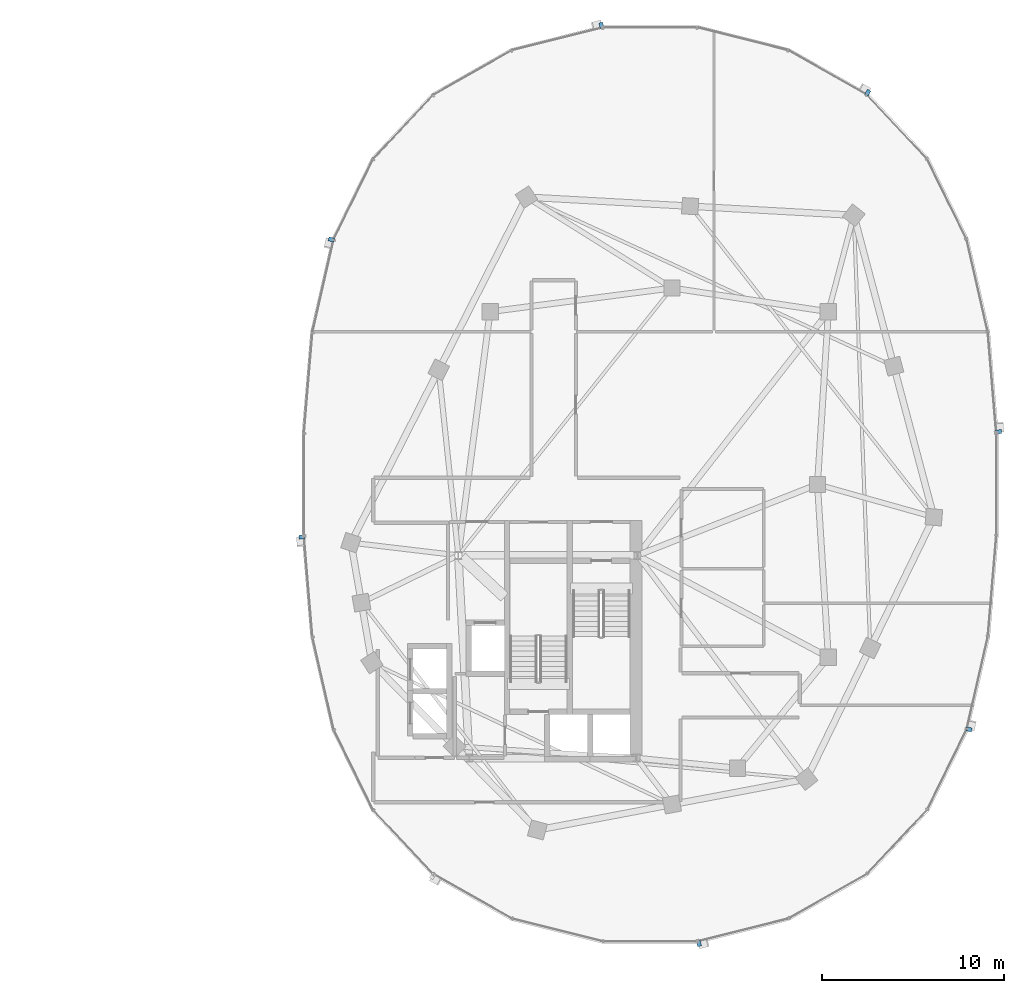
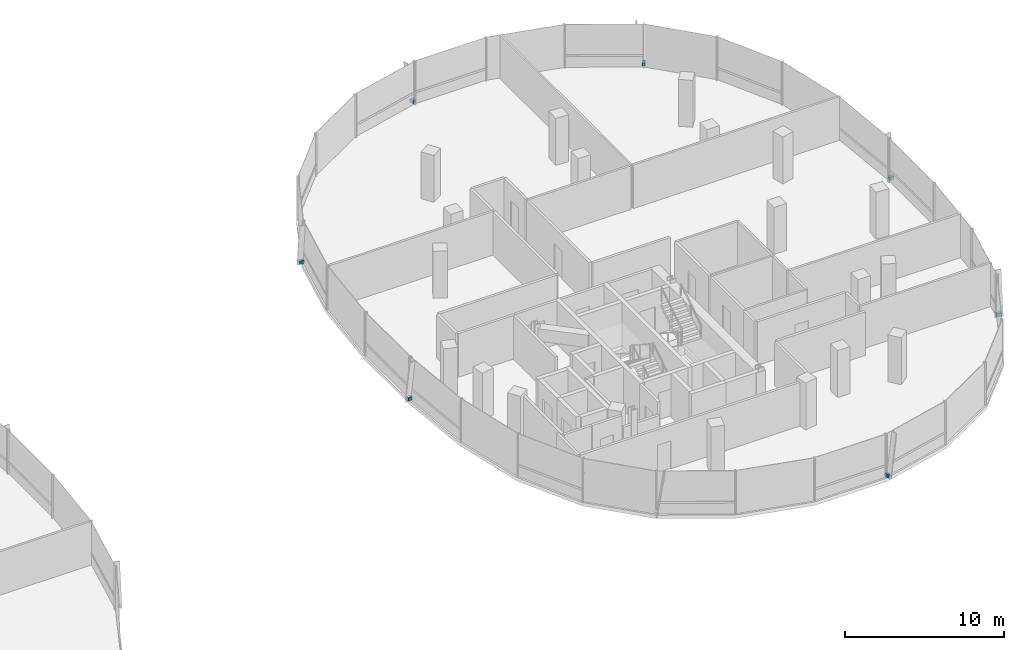
# One storey, part 20 of 25: 7 discrete accessories.
"""IFC4 building model written with IfcOpenShell, lengths in metres."""

from ifc_helpers import new_model, si_unit, direction, frame, origin, origin_2d, place, context, subcontext, project, spatial, rectangle, extrude, material, type_object, element, save


model = new_model("IFC4")

# Units and contexts
model_context = context("Model", 3, precision=1e-05, world=origin(), true_north=direction((0.0, 1.0)))
body_context = subcontext(model_context, "Body", "Model", "MODEL_VIEW")
ifc_project = project(units=[si_unit("LENGTHUNIT", "METRE"), si_unit("AREAUNIT", "SQUARE_METRE"), si_unit("VOLUMEUNIT", "CUBIC_METRE"), si_unit("PLANEANGLEUNIT", "RADIAN"), si_unit("MASSUNIT", "GRAM", prefix="KILO"), si_unit("THERMODYNAMICTEMPERATUREUNIT", "KELVIN"), si_unit("POWERUNIT", "WATT")], contexts=[model_context])

# Site, building, storey
site_placement = place(None, origin())
site = spatial("IfcSite", under=ifc_project, at=site_placement, CompositionType="ELEMENT")
building_placement = place(site_placement, origin())
building = spatial("IfcBuilding", under=site, at=building_placement, Name="Cundina Bronze Exchange", CompositionType="ELEMENT")
storey_placement = place(building_placement, frame((0.0, 0.0, 206.199951171875)))
storey = spatial("IfcBuildingStorey", under=building, at=storey_placement, Name="L54", CompositionType="ELEMENT", Elevation=206.199951171875)

# Discrete accessories
ifc_material = material(Name="Anodised Bronze Aluminium 6063-T6", Category="aluminium")
discrete_accessory_type = type_object("IfcDiscreteAccessoryType", Name="ACC-BRK-FIN", PredefinedType="BRACKET", material=ifc_material)
for number, where, z_axis, x_axis, name in (
    (1, (51.15478515625, 2.893798828125, 0.10009765625), (0.0, 0.0, 1.0), (-0.083747411454, 0.996487015006, 0.0), "L54 Fin Support Bracket 1"),
    (2, (43.961181640625, 21.539794921875, 0.10009765625), (0.0, 0.0, 1.0), (-0.869572506985, 0.493805280547, 0.0), "L54 Fin Support Bracket 5"),
    (3, (29.321044921875, 25.23779296875, 0.10009765625), (0.0, 0.0, 1.0), (-0.969731542251, -0.244173577528, 0.0), "L54 Fin Support Bracket 1"),
    (4, (14.470458984375, 13.468505859375, 0.10009765625), (0.0, 0.0, 1.0), (-0.223284141459, -0.974753400698, 0.0), "L54 Fin Support Bracket 5"),
    (5, (12.84521484375, -2.893798828125, 0.10009765625), (0.0, 0.0, 1.0), (0.083747411454, -0.996487015006, 0.0), "L54 Fin Support Bracket 1"),
    (6, (34.678955078125, -25.23779296875, 0.10009765625), (0.0, 0.0, 1.0), (0.969731542251, 0.244173577528, 0.0), "L54 Fin Support Bracket 1"),
    (7, (49.529541015625, -13.468505859375, 0.10009765625), (0.0, 0.0, 1.0), (0.223284141459, 0.974753400698, 0.0), "L54 Fin Support Bracket 5"),
):
    element("IfcDiscreteAccessory", number, at=place(storey_placement, frame(where, z_axis=z_axis, x_axis=x_axis)), inside=storey, type_object=discrete_accessory_type, Name=name, PredefinedType="BRACKET", context=body_context, shape_type="SweptSolid", body=[
        extrude(rectangle(XDim=0.219970703125, YDim=0.320068359375, at=origin_2d()), origin(), (0.0, 0.0, 1.0), 0.239990234375),
    ])

save(model, "model.ifc")
